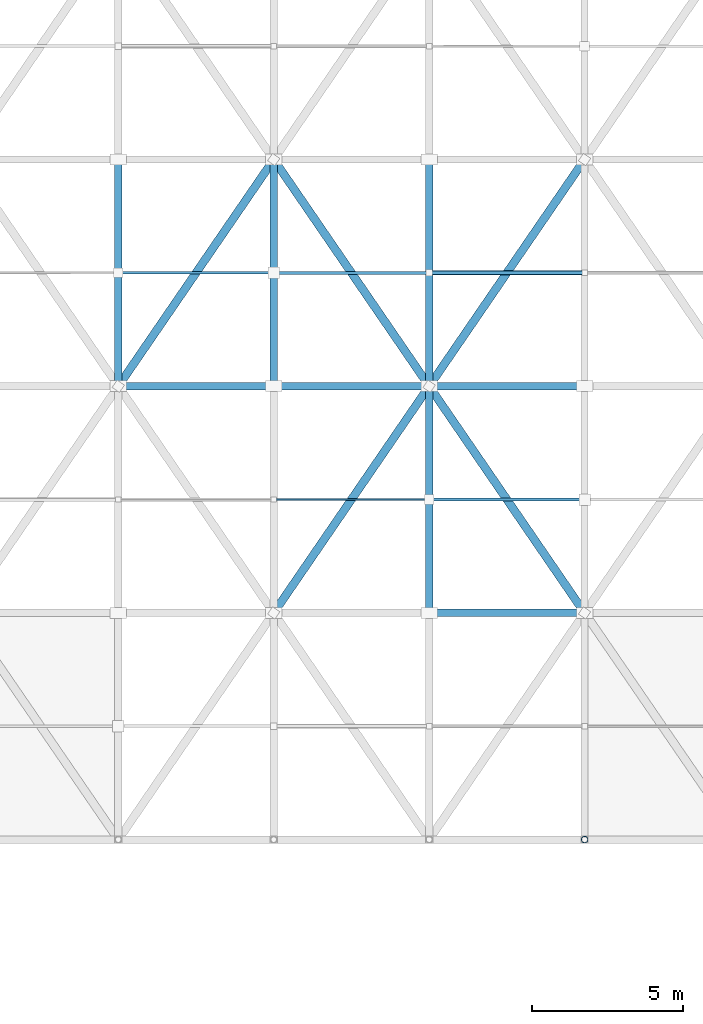
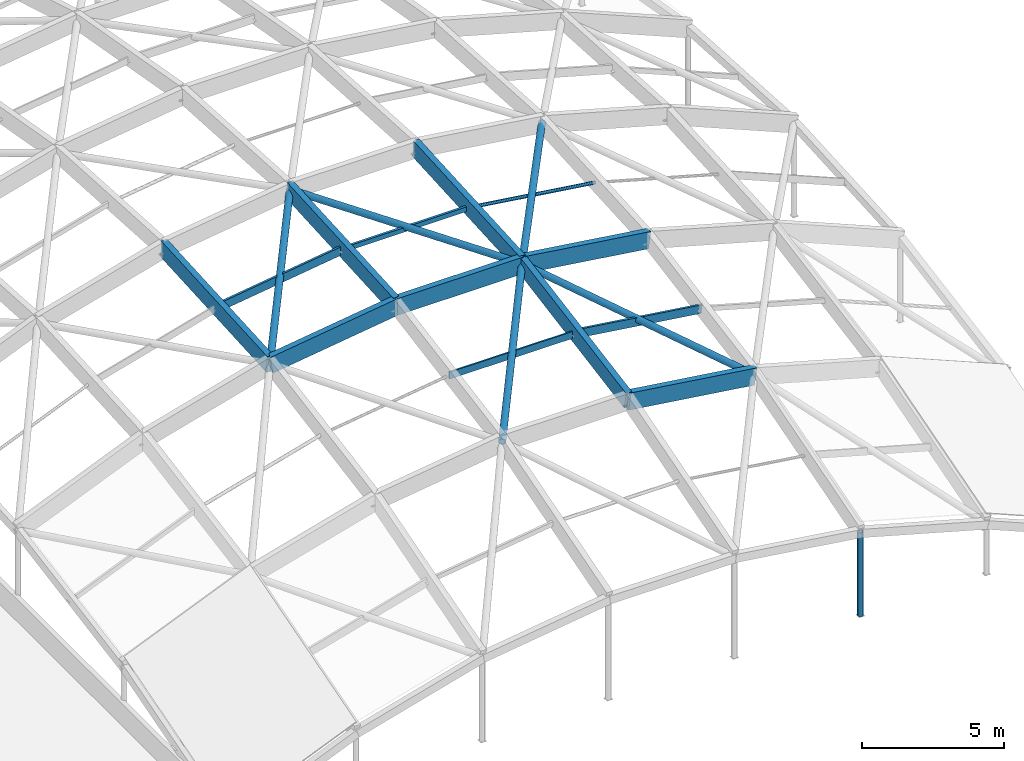
# One storey, part 40 of 81: 19 members.
"""IFC4 building model written with IfcOpenShell, lengths in metres."""

from ifc_helpers import new_model, si_unit, direction, frame, origin, origin_2d, place, context, subcontext, project, spatial, rectangle, hollow_rectangle, hollow_circle, extrude, material, material_profile, profile_set, type_object, element, save


model = new_model("IFC4")

# Units and contexts
model_context = context("Model", 3, precision=1e-05, world=origin(), true_north=direction((0.0, 1.0)))
body_context = subcontext(model_context, "Body", "Model", "MODEL_VIEW")
ifc_project = project(units=[si_unit("LENGTHUNIT", "METRE"), si_unit("AREAUNIT", "SQUARE_METRE"), si_unit("VOLUMEUNIT", "CUBIC_METRE"), si_unit("PLANEANGLEUNIT", "RADIAN"), si_unit("MASSUNIT", "GRAM", prefix="KILO")], contexts=[model_context])

# Site, building, storey
site_placement = place(None, origin())
site = spatial("IfcSite", under=ifc_project, at=site_placement, CompositionType="ELEMENT")
building_placement = place(site_placement, origin())
building = spatial("IfcBuilding", under=site, at=building_placement, Name="Marnridge Secondary College", CompositionType="ELEMENT")
storey_placement = place(building_placement, frame((0.0, 0.0, 8.5)))
storey = spatial("IfcBuildingStorey", under=building, at=storey_placement, Name="L02", CompositionType="ELEMENT", Elevation=8.5)

# Members
ifc_material_1 = material(Name="Cold-formed steel Grade C350L0 (AS/NZS 1163, fy = 350 MPa)", Category="steel")
ifc_material_profile_1 = material_profile(ifc_material_1, hollow_circle(Radius=0.109619140625, WallThickness=0.00830078125, at=origin_2d()), Name="219.1x8.2CHS")
ifc_profile_set_1 = profile_set([ifc_material_profile_1], Name="Cold-formed steel Grade C350L0 (AS/NZS 1163, fy = 350 MPa)")
member_type_1 = type_object("IfcMemberType", Name="MB-GS-CHS219", PredefinedType="BRACE", material=ifc_profile_set_1)
member_1_placement = place(storey_placement, frame((160.71435546875, 75.0, 0.090087890625), z_axis=(0.0, 0.0, 1.0), x_axis=(1.0, 0.0, 0.0)))
element("IfcMember", 1, at=member_1_placement, inside=storey, type_object=member_type_1, Name="Gridshell boundary post GSP-0014", PredefinedType="BRACE", context=body_context, shape_type="SweptSolid", body=[
    extrude(hollow_circle(Radius=0.109619140625, WallThickness=0.00830078125, at=origin_2d()), origin(), (0.0, 0.0, 1.0), 3.621826171875),
])
ifc_material_2 = material(Name="Cold-formed steel Grade C350L0 (AS/NZS 1163, fy = 350 MPa)", Category="steel")
ifc_material_profile_2 = material_profile(ifc_material_2, hollow_circle(Radius=0.136474609375, WallThickness=0.00927734375, at=origin_2d()), Name="273.1x9.3CHS")
ifc_profile_set_2 = profile_set([ifc_material_profile_2], Name="Cold-formed steel Grade C350L0 (AS/NZS 1163, fy = 350 MPa)")
member_type_2 = type_object("IfcMemberType", Name="MB-GS-CHS273", PredefinedType="BRACE", material=ifc_profile_set_2)
member_2_placement = place(storey_placement, frame((145.28564453125, 90.0, 7.247314453125), z_axis=(0.560976491508, 0.818057429941, 0.126836182904), x_axis=(-0.824718119143, 0.565544007092, 0.0)))
element("IfcMember", 2, at=member_2_placement, inside=storey, type_object=member_type_2, Name="Gridshell member GR-0112", PredefinedType="BRACE", context=body_context, shape_type="SweptSolid", body=[
    extrude(hollow_circle(Radius=0.136474609375, WallThickness=0.00927734375, at=origin_2d()), origin(), (0.0, 0.0, 1.0), 9.16796875),
])
member_3_placement = place(storey_placement, frame((150.4287109375, 82.5, 6.63232421875), z_axis=(0.559523770734, 0.816016437378, 0.145087297557), x_axis=(-0.824743162089, 0.565507485881, 0.0)))
element("IfcMember", 3, at=member_3_placement, inside=storey, type_object=member_type_2, Name="Gridshell member GR-0117", PredefinedType="BRACE", context=body_context, shape_type="SweptSolid", body=[
    extrude(hollow_circle(Radius=0.136474609375, WallThickness=0.00927734375, at=origin_2d()), origin(), (0.0, 0.0, 1.0), 9.19091796875),
])
member_4_placement = place(storey_placement, frame((155.5712890625, 90.0, 7.9658203125), z_axis=(-0.564833626367, 0.823760396981, 0.048803513102), x_axis=(-0.824743162089, -0.565507485881, 0.0)))
element("IfcMember", 4, at=member_4_placement, inside=storey, type_object=member_type_2, Name="Gridshell member GR-0118", PredefinedType="BRACE", context=body_context, shape_type="SweptSolid", body=[
    extrude(hollow_circle(Radius=0.136474609375, WallThickness=0.00927734375, at=origin_2d()), origin(), (0.0, 0.0, 1.0), 9.1044921875),
])
member_5_placement = place(storey_placement, frame((160.71435546875, 82.5, 5.9140625), z_axis=(-0.551677348795, 0.804496731936, 0.220084327317), x_axis=(-0.824718119143, -0.565544007092, 0.0)))
element("IfcMember", 5, at=member_5_placement, inside=storey, type_object=member_type_2, Name="Gridshell member GR-0123", PredefinedType="BRACE", context=body_context, shape_type="SweptSolid", body=[
    extrude(hollow_circle(Radius=0.136474609375, WallThickness=0.00927734375, at=origin_2d()), origin(), (0.0, 0.0, 1.0), 9.322509765625),
])
member_6_placement = place(storey_placement, frame((155.5712890625, 90.0, 7.9658203125), z_axis=(0.565287620466, 0.824344237194, -0.030107885226), x_axis=(-0.824718119143, 0.565544007092, 0.0)))
element("IfcMember", 6, at=member_6_placement, inside=storey, type_object=member_type_2, Name="Gridshell member GR-0124", PredefinedType="BRACE", context=body_context, shape_type="SweptSolid", body=[
    extrude(hollow_circle(Radius=0.136474609375, WallThickness=0.00927734375, at=origin_2d()), origin(), (0.0, 0.0, 1.0), 9.09814453125),
])
ifc_material_3 = material(Name="Glulam timber GL18", Category="wood")
ifc_material_profile_3 = material_profile(ifc_material_3, rectangle(XDim=0.239990234375, YDim=0.719970703125, at=origin_2d()), Name="GL18 240x720")
ifc_profile_set_3 = profile_set([ifc_material_profile_3], Name="Glulam timber GL18")
member_type_3 = type_object("IfcMemberType", Name="MB-GS-GL720", PredefinedType="CHORD", material=ifc_profile_set_3)
for number, where, z_axis, x_axis, name in (
    (7, (145.28564453125, 90.0, 7.247314453125), (0.0, 0.998247714799, 0.059173472938), (-1.0, 0.0, 0.0), "Gridshell member GR-0015"),
    (8, (150.4287109375, 90.0, 7.9658203125), (0.0, 0.998249633752, 0.059141091583), (-1.0, 0.0, 0.0), "Gridshell member GR-0021"),
):
    element("IfcMember", number, at=place(storey_placement, frame(where, z_axis=z_axis, x_axis=x_axis)), inside=storey, type_object=member_type_3, Name=name, PredefinedType="CHORD", context=body_context, shape_type="SweptSolid", body=[
        extrude(rectangle(XDim=0.239990234375, YDim=0.719970703125, at=origin_2d()), origin(), (0.0, 0.0, 1.0), 7.51318359375),
    ])
member_7_placement = place(storey_placement, frame((155.5712890625, 82.5, 6.63232421875), z_axis=(0.0, 0.984558825488, 0.175054046381), x_axis=(-1.0, 0.0, 0.0)))
element("IfcMember", 9, at=member_7_placement, inside=storey, type_object=member_type_3, Name="Gridshell member GR-0026", PredefinedType="CHORD", context=body_context, shape_type="SweptSolid", body=[
    extrude(rectangle(XDim=0.239990234375, YDim=0.719970703125, at=origin_2d()), origin(), (0.0, 0.0, 1.0), 7.61767578125),
])
member_8_placement = place(storey_placement, frame((155.5712890625, 90.0, 7.9658203125), z_axis=(0.0, 0.998249633752, 0.059141091583), x_axis=(-1.0, 0.0, 0.0)))
element("IfcMember", 10, at=member_8_placement, inside=storey, type_object=member_type_3, Name="Gridshell member GR-0027", PredefinedType="CHORD", context=body_context, shape_type="SweptSolid", body=[
    extrude(rectangle(XDim=0.239990234375, YDim=0.719970703125, at=origin_2d()), origin(), (0.0, 0.0, 1.0), 7.51318359375),
])
member_9_placement = place(storey_placement, frame((155.5712890625, 82.5, 6.63232421875), z_axis=(0.990388427346, 0.0, -0.138314001389), x_axis=(0.0, 1.0, 0.0)))
element("IfcMember", 11, at=member_9_placement, inside=storey, type_object=member_type_3, Name="Gridshell member GR-0060", PredefinedType="CHORD", context=body_context, shape_type="SweptSolid", body=[
    extrude(rectangle(XDim=0.239990234375, YDim=0.719970703125, at=origin_2d()), origin(), (0.0, 0.0, 1.0), 5.19287109375),
])
member_10_placement = place(storey_placement, frame((145.28564453125, 90.0, 7.247314453125), z_axis=(0.990381986176, 0.0, 0.138360115129), x_axis=(0.0, 1.0, 0.0)))
element("IfcMember", 12, at=member_10_placement, inside=storey, type_object=member_type_3, Name="Gridshell member GR-0065", PredefinedType="CHORD", context=body_context, shape_type="SweptSolid", body=[
    extrude(rectangle(XDim=0.239990234375, YDim=0.719970703125, at=origin_2d()), origin(), (0.0, 0.0, 1.0), 5.193115234375),
])
member_11_placement = place(storey_placement, frame((150.4287109375, 90.0, 7.9658203125), z_axis=(1.0, 0.0, 0.0), x_axis=(0.0, 1.0, 0.0)))
element("IfcMember", 13, at=member_11_placement, inside=storey, type_object=member_type_3, Name="Gridshell member GR-0066", PredefinedType="CHORD", context=body_context, shape_type="SweptSolid", body=[
    extrude(rectangle(XDim=0.239990234375, YDim=0.719970703125, at=origin_2d()), origin(), (0.0, 0.0, 1.0), 5.142578125),
])
member_12_placement = place(storey_placement, frame((155.5712890625, 90.0, 7.9658203125), z_axis=(0.990381986176, 0.0, -0.138360115129), x_axis=(0.0, 1.0, 0.0)))
element("IfcMember", 14, at=member_12_placement, inside=storey, type_object=member_type_3, Name="Gridshell member GR-0067", PredefinedType="CHORD", context=body_context, shape_type="SweptSolid", body=[
    extrude(rectangle(XDim=0.239990234375, YDim=0.719970703125, at=origin_2d()), origin(), (0.0, 0.0, 1.0), 5.193115234375),
])
ifc_material_4 = material(Name="Cold-formed steel Grade C350L0 (AS/NZS 1163, fy = 350 MPa)", Category="steel")
ifc_material_profile_4 = material_profile(ifc_material_4, hollow_circle(Radius=0.06982421875, WallThickness=0.00537109375, at=origin_2d()), Name="139.7x5.4CHS")
ifc_profile_set_4 = profile_set([ifc_material_profile_4], Name="Cold-formed steel Grade C350L0 (AS/NZS 1163, fy = 350 MPa)")
member_type_4 = type_object("IfcMemberType", Name="MB-PR-CHS139", PredefinedType="PURLIN", material=ifc_profile_set_4)
member_13_placement = place(storey_placement, frame((155.5712890625, 93.75, 8.10791015625), z_axis=(0.990388427346, 0.0, -0.138314001389), x_axis=(0.0, 1.0, 0.0)))
element("IfcMember", 15, at=member_13_placement, inside=storey, type_object=member_type_4, Name="Gridshell purlin PR-0049", PredefinedType="PURLIN", context=body_context, shape_type="SweptSolid", body=[
    extrude(hollow_circle(Radius=0.06982421875, WallThickness=0.00537109375, at=origin_2d()), origin(), (0.0, 0.0, 1.0), 5.19287109375),
])
ifc_material_5 = material(Name="Engineered timber LVL E13.2", Category="wood")
ifc_material_profile_5 = material_profile(ifc_material_5, rectangle(XDim=0.06298828125, YDim=0.300048828125, at=origin_2d()), Name="LVL 63x300")
ifc_profile_set_5 = profile_set([ifc_material_profile_5], Name="Engineered timber LVL E13.2")
member_type_5 = type_object("IfcMemberType", Name="MB-PR-LVL300", PredefinedType="PURLIN", material=ifc_profile_set_5)
member_14_placement = place(storey_placement, frame((150.4287109375, 86.25, 7.218994140625), z_axis=(1.0, 0.0, 0.0), x_axis=(0.0, 1.0, 0.0)))
element("IfcMember", 16, at=member_14_placement, inside=storey, type_object=member_type_5, Name="Gridshell purlin PR-0042", PredefinedType="PURLIN", context=body_context, shape_type="SweptSolid", body=[
    extrude(rectangle(XDim=0.06298828125, YDim=0.300048828125, at=origin_2d()), origin(), (0.0, 0.0, 1.0), 5.142578125),
])
ifc_material_6 = material(Name="Engineered timber LVL E13.2", Category="wood")
ifc_material_profile_6 = material_profile(ifc_material_6, rectangle(XDim=0.090087890625, YDim=0.360107421875, at=origin_2d()), Name="LVL 90x360")
ifc_profile_set_6 = profile_set([ifc_material_profile_6], Name="Engineered timber LVL E13.2")
member_type_6 = type_object("IfcMemberType", Name="MB-PR-LVL360", PredefinedType="PURLIN", material=ifc_profile_set_6)
for number, where, z_axis, x_axis, name in (
    (17, (145.28564453125, 93.75, 7.3896484375), (0.990388427346, 0.0, 0.138314001389), (0.0, 1.0, 0.0), "Gridshell purlin PR-0037"),
    (18, (155.5712890625, 86.25, 7.218994140625), (0.990388427346, 0.0, -0.138314001389), (0.0, 1.0, 0.0), "Gridshell purlin PR-0048"),
):
    element("IfcMember", number, at=place(storey_placement, frame(where, z_axis=z_axis, x_axis=x_axis)), inside=storey, type_object=member_type_6, Name=name, PredefinedType="PURLIN", context=body_context, shape_type="SweptSolid", body=[
        extrude(rectangle(XDim=0.090087890625, YDim=0.360107421875, at=origin_2d()), origin(), (0.0, 0.0, 1.0), 5.19287109375),
    ])
ifc_material_7 = material(Name="Cold-formed steel Grade C350L0 (AS/NZS 1163, fy = 350 MPa)", Category="steel")
ifc_material_profile_7 = material_profile(ifc_material_7, hollow_rectangle(XDim=0.10009765625, YDim=0.199951171875, WallThickness=0.006103515625, at=origin_2d()), Name="200x100x6.0RHS")
ifc_profile_set_7 = profile_set([ifc_material_profile_7], Name="Cold-formed steel Grade C350L0 (AS/NZS 1163, fy = 350 MPa)")
member_type_7 = type_object("IfcMemberType", Name="MB-PR-RHS200", PredefinedType="PURLIN", material=ifc_profile_set_7)
member_15_placement = place(storey_placement, frame((150.4287109375, 93.75, 8.10791015625), z_axis=(1.0, 0.0, 0.0), x_axis=(0.0, 1.0, 0.0)))
element("IfcMember", 19, at=member_15_placement, inside=storey, type_object=member_type_7, Name="Gridshell purlin PR-0043", PredefinedType="PURLIN", context=body_context, shape_type="SweptSolid", body=[
    extrude(hollow_rectangle(XDim=0.10009765625, YDim=0.199951171875, WallThickness=0.006103515625, at=origin_2d()), origin(), (0.0, 0.0, 1.0), 5.142578125),
])

save(model, "model.ifc")
